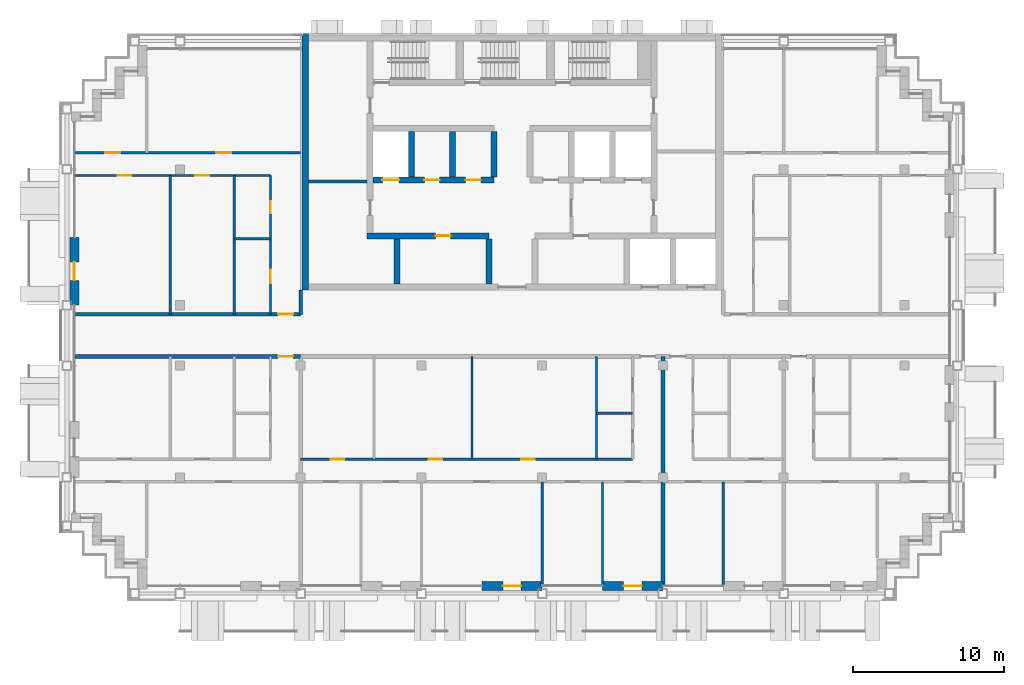
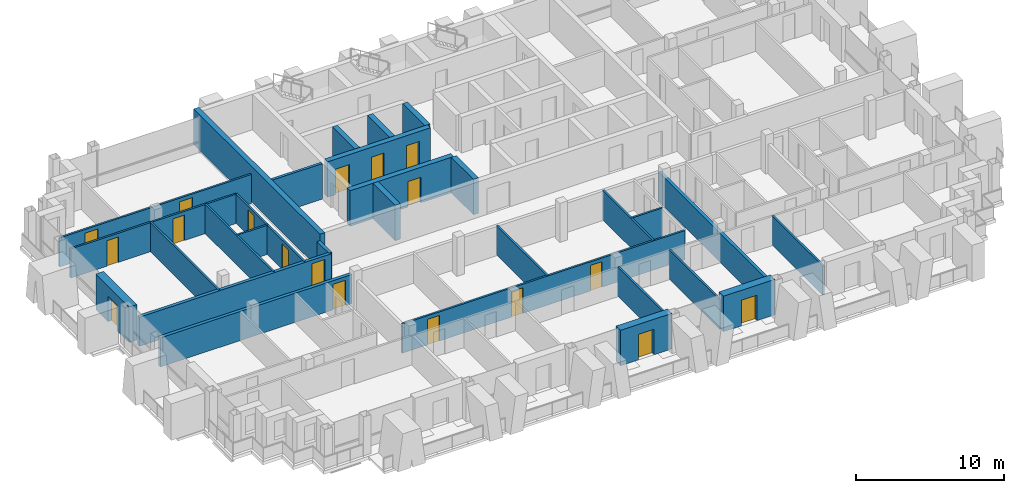
# One storey, part 8 of 15: 29 walls, 18 doors, 18 openings.
"""IFC4 building model written with IfcOpenShell, lengths in metres."""

from ifc_helpers import new_model, si_unit, direction, frame, frame_2d, origin, place, context, subcontext, project, spatial, rectangle, extrude, material, layer, layer_set, type_object, element, fill, save


model = new_model("IFC4")

# Units and contexts
model_context = context("Model", 3, precision=1e-05, world=origin(), true_north=direction((0.0, 1.0)))
body_context = subcontext(model_context, "Body", "Model", "MODEL_VIEW")
ifc_project = project(units=[si_unit("LENGTHUNIT", "METRE"), si_unit("AREAUNIT", "SQUARE_METRE"), si_unit("VOLUMEUNIT", "CUBIC_METRE"), si_unit("PLANEANGLEUNIT", "RADIAN"), si_unit("MASSUNIT", "GRAM", prefix="KILO")], contexts=[model_context])

# Site, building, storey
site_placement = place(None, origin())
site = spatial("IfcSite", under=ifc_project, at=site_placement, CompositionType="ELEMENT")
building_placement = place(site_placement, origin())
building = spatial("IfcBuilding", under=site, at=building_placement, Name="Vidyagriha Tower", CompositionType="ELEMENT")
storey_placement = place(building_placement, frame((0.0, 0.0, 214.0)))
storey = spatial("IfcBuildingStorey", under=building, at=storey_placement, Name="L55", CompositionType="ELEMENT", Elevation=214.0)

# Wall, opening, door
ifc_material_1 = material(Name="Precast concrete C40/50 with brick facing", Category="concrete")
ifc_layer_1 = layer(ifc_material_1, 0.60009765625)
ifc_layer_set_1 = layer_set([ifc_layer_1], Name="Precast concrete C40/50 with brick facing")
wall_type_1 = type_object("IfcWallType", Name="Brick-faced precast wall 600", PredefinedType="STANDARD", material=ifc_layer_set_1)
wall_1_placement = place(storey_placement, frame((-29.0, 6.5, 0.0), z_axis=(0.0, 0.0, 1.0), x_axis=(0.0, -1.0, 0.0)))
wall_1 = element("IfcWall", 1, at=wall_1_placement, inside=storey, type_object=wall_type_1, Name="Brick door bay wall L55 R16.3", PredefinedType="STANDARD", context=body_context, shape_type="SweptSolid", body=[
    extrude(rectangle(XDim=4.5, YDim=0.60009765625, at=frame_2d((2.25, 0.0))), origin(), (0.0, 0.0, 1.0), 2.919921875),
])
opening_1_placement = place(wall_1_placement, frame((1.64990234375, 0.0, 0.0)))
opening_1 = element("IfcOpeningElement", 2, at=opening_1_placement, cuts=wall_1, Name="Opening D55-60", PredefinedType="OPENING", context=body_context, shape_type="SweptSolid", body=[
    extrude(rectangle(XDim=1.199951171875, YDim=2.10009765625, at=frame_2d((0.60009765625, 1.050048828125))), frame((0.0, 0.31005859375, 0.0), z_axis=(0.0, -1.0, 0.0), x_axis=(1.0, 0.0, 0.0)), (0.0, 0.0, 1.0), 0.6201171875),
])
ifc_material_2 = material(Name="Aluminium framed glazed sliding door", Category="aluminium")
door_type_1 = type_object("IfcDoorType", Name="Balcony sliding door 1200x2100", OperationType="NOTDEFINED", PredefinedType="DOOR", material=ifc_material_2)
door_1_placement = place(opening_1_placement, origin())
door_1 = element("IfcDoor", 3, at=door_1_placement, inside=storey, type_object=door_type_1, Name="Door D55-60", OperationType="SLIDING_TO_LEFT", OverallHeight=2.10009765625, OverallWidth=1.199951171875, PredefinedType="DOOR", context=body_context, shape_type="SweptSolid", body=[
    extrude(rectangle(XDim=1.199951171875, YDim=2.10009765625, at=frame_2d((0.60009765625, 1.050048828125))), frame((0.0, 0.02490234375, 0.0), z_axis=(0.0, -1.0, 0.0), x_axis=(1.0, 0.0, 0.0)), (0.0, 0.0, 1.0), 0.050048828125),
])
fill(opening_1, door_1)

wall_2_placement = place(storey_placement, frame((-2.0, -16.60009765625, 0.0)))
wall_2 = element("IfcWall", 4, at=wall_2_placement, inside=storey, type_object=wall_type_1, Name="Brick door bay wall L55 R23.7", PredefinedType="STANDARD", context=body_context, shape_type="SweptSolid", body=[
    extrude(rectangle(XDim=4.0, YDim=0.60009765625, at=frame_2d((2.0, 0.0))), origin(), (0.0, 0.0, 1.0), 2.919921875),
])
opening_2_placement = place(wall_2_placement, frame((1.39990234375, 0.0, 0.0)))
opening_2 = element("IfcOpeningElement", 5, at=opening_2_placement, cuts=wall_2, Name="Opening D55-64", PredefinedType="OPENING", context=body_context, shape_type="SweptSolid", body=[
    extrude(rectangle(XDim=1.199951171875, YDim=2.10009765625, at=frame_2d((0.60009765625, 1.050048828125))), frame((0.0, 0.31005859375, 0.0), z_axis=(0.0, -1.0, 0.0), x_axis=(1.0, 0.0, 0.0)), (0.0, 0.0, 1.0), 0.6201171875),
])
door_2_placement = place(opening_2_placement, origin())
door_2 = element("IfcDoor", 6, at=door_2_placement, inside=storey, type_object=door_type_1, Name="Door D55-64", OperationType="SLIDING_TO_LEFT", OverallHeight=2.10009765625, OverallWidth=1.199951171875, PredefinedType="DOOR", context=body_context, shape_type="SweptSolid", body=[
    extrude(rectangle(XDim=1.199951171875, YDim=2.10009765625, at=frame_2d((0.60009765625, 1.050048828125))), frame((0.0, 0.02490234375, 0.0), z_axis=(0.0, -1.0, 0.0), x_axis=(1.0, 0.0, 0.0)), (0.0, 0.0, 1.0), 0.050048828125),
])
fill(opening_2, door_2)

wall_3_placement = place(storey_placement, frame((6.0, -16.60009765625, 0.0)))
wall_3 = element("IfcWall", 7, at=wall_3_placement, inside=storey, type_object=wall_type_1, Name="Brick door bay wall L55 R23.9", PredefinedType="STANDARD", context=body_context, shape_type="SweptSolid", body=[
    extrude(rectangle(XDim=4.0, YDim=0.60009765625, at=frame_2d((2.0, 0.0))), origin(), (0.0, 0.0, 1.0), 2.919921875),
])
opening_3_placement = place(wall_3_placement, frame((1.39990234375, 0.0, 0.0)))
opening_3 = element("IfcOpeningElement", 8, at=opening_3_placement, cuts=wall_3, Name="Opening D55-65", PredefinedType="OPENING", context=body_context, shape_type="SweptSolid", body=[
    extrude(rectangle(XDim=1.199951171875, YDim=2.10009765625, at=frame_2d((0.60009765625, 1.050048828125))), frame((0.0, 0.31005859375, 0.0), z_axis=(0.0, -1.0, 0.0), x_axis=(1.0, 0.0, 0.0)), (0.0, 0.0, 1.0), 0.6201171875),
])
door_3_placement = place(opening_3_placement, origin())
door_3 = element("IfcDoor", 9, at=door_3_placement, inside=storey, type_object=door_type_1, Name="Door D55-65", OperationType="SLIDING_TO_LEFT", OverallHeight=2.10009765625, OverallWidth=1.199951171875, PredefinedType="DOOR", context=body_context, shape_type="SweptSolid", body=[
    extrude(rectangle(XDim=1.199951171875, YDim=2.10009765625, at=frame_2d((0.60009765625, 1.050048828125))), frame((0.0, 0.02490234375, 0.0), z_axis=(0.0, -1.0, 0.0), x_axis=(1.0, 0.0, 0.0)), (0.0, 0.0, 1.0), 0.050048828125),
])
fill(opening_3, door_3)

# Wall
ifc_material_3 = material(Name="Concrete C60/75", Category="concrete")
ifc_layer_2 = layer(ifc_material_3, 0.39990234375)
ifc_layer_set_2 = layer_set([ifc_layer_2], Name="Concrete C60/75")
wall_type_2 = type_object("IfcWallType", Name="Core shear wall 400 mm", PredefinedType="SHEAR", material=ifc_layer_set_2)
wall_4_placement = place(storey_placement, frame((-13.699951171875, 3.0, 0.0), z_axis=(0.0, 0.0, 1.0), x_axis=(0.0, 1.0, 0.0)))
element("IfcWall", 10, at=wall_4_placement, inside=storey, type_object=wall_type_2, Name="Core west wall", PredefinedType="SHEAR", context=body_context, shape_type="SweptSolid", body=[
    extrude(rectangle(XDim=17.0, YDim=0.39990234375, at=frame_2d((8.5, 0.0))), origin(), (0.0, 0.0, 1.0), 2.919921875),
])

# Wall, opening, door
wall_5_placement = place(storey_placement, frame((-9.60009765625, 6.60009765625, 0.0)))
wall_5 = element("IfcWall", 11, at=wall_5_placement, inside=storey, type_object=wall_type_2, Name="Core lobby south wall west", PredefinedType="SHEAR", context=body_context, shape_type="SweptSolid", body=[
    extrude(rectangle(XDim=8.077880859375, YDim=0.39990234375, at=frame_2d((4.0390625, 0.0))), origin(), (0.0, 0.0, 1.0), 2.919921875),
])
opening_4_placement = place(wall_5_placement, frame((4.533203125, 0.0, 0.0)))
opening_4 = element("IfcOpeningElement", 12, at=opening_4_placement, cuts=wall_5, Name="Opening D55-02", PredefinedType="OPENING", context=body_context, shape_type="SweptSolid", body=[
    extrude(rectangle(XDim=1.0, YDim=2.10009765625, at=frame_2d((0.5, 1.050048828125))), frame((0.0, 0.2099609375, 0.0), z_axis=(0.0, -1.0, 0.0), x_axis=(1.0, 0.0, 0.0)), (0.0, 0.0, 1.0), 0.419921875),
])
ifc_material_4 = material(Name="Hollow metal door leaf")
door_type_2 = type_object("IfcDoorType", Name="Core room door 1000 x 2100 mm EI 60", OperationType="NOTDEFINED", PredefinedType="DOOR", material=ifc_material_4)
door_4_placement = place(opening_4_placement, origin())
door_4 = element("IfcDoor", 13, at=door_4_placement, inside=storey, type_object=door_type_2, Name="Door Refuse Room 55.01", OperationType="SINGLE_SWING_RIGHT", OverallHeight=2.10009765625, OverallWidth=1.0, PredefinedType="DOOR", context=body_context, shape_type="SweptSolid", body=[
    extrude(rectangle(XDim=1.0, YDim=2.10009765625, at=frame_2d((0.5, 1.050048828125))), frame((0.0, 0.02490234375, 0.0), z_axis=(0.0, -1.0, 0.0), x_axis=(1.0, 0.0, 0.0)), (0.0, 0.0, 1.0), 0.050048828125),
])
fill(opening_4, door_4)

# Walls
for number, where, z_axis, x_axis, name in (
    (14, (-7.611083984375, 3.39990234375, 0.0), (0.0, 0.0, 1.0), (0.0, 1.0, 0.0), "Core bay wall S2"),
    (15, (-1.522216796875, 3.39990234375, 0.0), (0.0, 0.0, 1.0), (0.0, 1.0, 0.0), "Core bay wall S4"),
):
    element("IfcWall", number, at=place(storey_placement, frame(where, z_axis=z_axis, x_axis=x_axis)), inside=storey, type_object=wall_type_2, Name=name, PredefinedType="SHEAR", context=body_context, shape_type="SweptSolid", body=[
        extrude(rectangle(XDim=3.0, YDim=0.39990234375, at=frame_2d((1.5, 0.0))), origin(), (0.0, 0.0, 1.0), 2.919921875),
    ])

# Wall, openings, doors
wall_6_placement = place(storey_placement, frame((-9.199951171875, 10.300048828125, 0.0)))
wall_6 = element("IfcWall", 16, at=wall_6_placement, inside=storey, type_object=wall_type_2, Name="Core row N front wall", PredefinedType="SHEAR", context=body_context, shape_type="SweptSolid", body=[
    extrude(rectangle(XDim=8.0, YDim=0.39990234375, at=frame_2d((4.0, 0.0))), origin(), (0.0, 0.0, 1.0), 2.919921875),
])
opening_5_placement = place(wall_6_placement, frame((0.61669921875, 0.0, 0.0)))
opening_5 = element("IfcOpeningElement", 17, at=opening_5_placement, cuts=wall_6, Name="Opening LD55-03", PredefinedType="OPENING", context=body_context, shape_type="SweptSolid", body=[
    extrude(rectangle(XDim=1.10009765625, YDim=2.10009765625, at=frame_2d((0.550048828125, 1.050048828125))), frame((0.0, 0.2099609375, 0.0), z_axis=(0.0, -1.0, 0.0), x_axis=(1.0, 0.0, 0.0)), (0.0, 0.0, 1.0), 0.419921875),
])
opening_6_placement = place(wall_6_placement, frame((3.39990234375, 0.0, 0.0)))
opening_6 = element("IfcOpeningElement", 18, at=opening_6_placement, cuts=wall_6, Name="Opening D55-04", PredefinedType="OPENING", context=body_context, shape_type="SweptSolid", body=[
    extrude(rectangle(XDim=1.0, YDim=2.10009765625, at=frame_2d((0.5, 1.050048828125))), frame((0.0, 0.2099609375, 0.0), z_axis=(0.0, -1.0, 0.0), x_axis=(1.0, 0.0, 0.0)), (0.0, 0.0, 1.0), 0.419921875),
])
opening_7_placement = place(wall_6_placement, frame((6.13330078125, 0.0, 0.0)))
opening_7 = element("IfcOpeningElement", 19, at=opening_7_placement, cuts=wall_6, Name="Opening D55-05", PredefinedType="OPENING", context=body_context, shape_type="SweptSolid", body=[
    extrude(rectangle(XDim=1.0, YDim=2.10009765625, at=frame_2d((0.5, 1.050048828125))), frame((0.0, 0.2099609375, 0.0), z_axis=(0.0, -1.0, 0.0), x_axis=(1.0, 0.0, 0.0)), (0.0, 0.0, 1.0), 0.419921875),
])
door_5_placement = place(opening_6_placement, frame((1.0, 0.0, 0.0), z_axis=(0.0, 0.0, 1.0), x_axis=(-1.0, 0.0, 0.0)))
door_5 = element("IfcDoor", 20, at=door_5_placement, inside=storey, type_object=door_type_2, Name="Door Electrical Room 55.14", OperationType="SINGLE_SWING_RIGHT", OverallHeight=2.10009765625, OverallWidth=1.0, PredefinedType="DOOR", context=body_context, shape_type="SweptSolid", body=[
    extrude(rectangle(XDim=1.0, YDim=2.10009765625, at=frame_2d((0.5, 1.050048828125))), frame((0.0, 0.02490234375, 0.0), z_axis=(0.0, -1.0, 0.0), x_axis=(1.0, 0.0, 0.0)), (0.0, 0.0, 1.0), 0.050048828125),
])
fill(opening_6, door_5)
door_6_placement = place(opening_7_placement, frame((1.0, 0.0, 0.0), z_axis=(0.0, 0.0, 1.0), x_axis=(-1.0, 0.0, 0.0)))
door_6 = element("IfcDoor", 21, at=door_6_placement, inside=storey, type_object=door_type_2, Name="Door Cleaners Store 55.15", OperationType="SINGLE_SWING_LEFT", OverallHeight=2.10009765625, OverallWidth=1.0, PredefinedType="DOOR", context=body_context, shape_type="SweptSolid", body=[
    extrude(rectangle(XDim=1.0, YDim=2.10009765625, at=frame_2d((0.5, 1.050048828125))), frame((0.0, 0.02490234375, 0.0), z_axis=(0.0, -1.0, 0.0), x_axis=(1.0, 0.0, 0.0)), (0.0, 0.0, 1.0), 0.050048828125),
])
fill(opening_7, door_6)
ifc_material_5 = material(Name="Stainless steel sliding door panel", Category="steel")
door_type_3 = type_object("IfcDoorType", Name="Lift landing door 1100 x 2100 mm EI 90", OperationType="NOTDEFINED", PredefinedType="DOOR", material=ifc_material_5)
door_7_placement = place(opening_5_placement, origin())
door_7 = element("IfcDoor", 22, at=door_7_placement, inside=storey, type_object=door_type_3, Name="Landing door MR3 L55", OperationType="SLIDING_TO_LEFT", OverallHeight=2.10009765625, OverallWidth=1.10009765625, PredefinedType="DOOR", context=body_context, shape_type="SweptSolid", body=[
    extrude(rectangle(XDim=1.10009765625, YDim=2.10009765625, at=frame_2d((0.550048828125, 1.050048828125))), frame((0.0, 0.02490234375, 0.0), z_axis=(0.0, -1.0, 0.0), x_axis=(1.0, 0.0, 0.0)), (0.0, 0.0, 1.0), 0.050048828125),
])
fill(opening_5, door_7)

# Walls
for number, where, z_axis, x_axis, name in (
    (23, (-6.666748046875, 10.5, 0.0), (0.0, 0.0, 1.0), (0.0, 1.0, 0.0), "Core bay wall N1"),
    (24, (-3.933349609375, 10.5, 0.0), (0.0, 0.0, 1.0), (0.0, 1.0, 0.0), "Core bay wall N2"),
    (25, (-1.199951171875, 10.5, 0.0), (0.0, 0.0, 1.0), (0.0, 1.0, 0.0), "Core bay wall N3"),
):
    element("IfcWall", number, at=place(storey_placement, frame(where, z_axis=z_axis, x_axis=x_axis)), inside=storey, type_object=wall_type_2, Name=name, PredefinedType="SHEAR", context=body_context, shape_type="SweptSolid", body=[
        extrude(rectangle(XDim=3.0, YDim=0.39990234375, at=frame_2d((1.5, 0.0))), origin(), (0.0, 0.0, 1.0), 2.919921875),
    ])

# Wall, opening, door
ifc_material_6 = material(Name="Fired clay brick masonry", Category="masonry")
ifc_layer_3 = layer(ifc_material_6, 0.25)
ifc_layer_set_3 = layer_set([ifc_layer_3], Name="Fired clay brick masonry")
wall_type_3 = type_object("IfcWallType", Name="Fired clay brick corridor wall 250", PredefinedType="PARTITIONING", material=ifc_layer_set_3)
wall_7_placement = place(storey_placement, frame((-14.0, -1.39990234375, 0.0), z_axis=(0.0, 0.0, 1.0), x_axis=(-1.0, 0.0, 0.0)))
wall_7 = element("IfcWall", 26, at=wall_7_placement, inside=storey, type_object=wall_type_3, Name="Wall all-L55-w064", PredefinedType="PARTITIONING", context=body_context, shape_type="SweptSolid", body=[
    extrude(rectangle(XDim=14.919921875, YDim=0.25, at=frame_2d((7.4599609375, 0.0))), origin(), (0.0, 0.0, 1.0), 2.39990234375),
])
opening_8_placement = place(wall_7_placement, frame((0.5, 0.0, 0.0)))
opening_8 = element("IfcOpeningElement", 27, at=opening_8_placement, cuts=wall_7, Name="Opening D55-21", PredefinedType="OPENING", context=body_context, shape_type="SweptSolid", body=[
    extrude(rectangle(XDim=1.0, YDim=2.10009765625, at=frame_2d((0.5, 1.050048828125))), frame((0.0, 0.135009765625, 0.0), z_axis=(0.0, -1.0, 0.0), x_axis=(1.0, 0.0, 0.0)), (0.0, 0.0, 1.0), 0.27001953125),
])
ifc_material_7 = material(Name="Fire-rated timber door leaf EI 60", Category="wood")
door_type_4 = type_object("IfcDoorType", Name="Flat entrance fire door 1000x2100", OperationType="NOTDEFINED", PredefinedType="DOOR", material=ifc_material_7)
door_8_placement = place(opening_8_placement, origin())
door_8 = element("IfcDoor", 28, at=door_8_placement, inside=storey, type_object=door_type_4, Name="Door D55-21", OperationType="SINGLE_SWING_LEFT", OverallHeight=2.10009765625, OverallWidth=1.0, PredefinedType="DOOR", context=body_context, shape_type="SweptSolid", body=[
    extrude(rectangle(XDim=1.0, YDim=2.10009765625, at=frame_2d((0.5, 1.050048828125))), frame((0.0, 0.02490234375, 0.0), z_axis=(0.0, -1.0, 0.0), x_axis=(1.0, 0.0, 0.0)), (0.0, 0.0, 1.0), 0.050048828125),
])
fill(opening_8, door_8)

wall_8_placement = place(storey_placement, frame((-28.919921875, 1.39990234375, 0.0)))
wall_8 = element("IfcWall", 29, at=wall_8_placement, inside=storey, type_object=wall_type_3, Name="Wall all-L55-w080", PredefinedType="PARTITIONING", context=body_context, shape_type="SweptSolid", body=[
    extrude(rectangle(XDim=14.919921875, YDim=0.25, at=frame_2d((7.4599609375, 0.0))), origin(), (0.0, 0.0, 1.0), 2.39990234375),
])
opening_9_placement = place(wall_8_placement, frame((13.419921875, 0.0, 0.0)))
opening_9 = element("IfcOpeningElement", 30, at=opening_9_placement, cuts=wall_8, Name="Opening D55-51", PredefinedType="OPENING", context=body_context, shape_type="SweptSolid", body=[
    extrude(rectangle(XDim=1.0, YDim=2.10009765625, at=frame_2d((0.5, 1.050048828125))), frame((0.0, 0.135009765625, 0.0), z_axis=(0.0, -1.0, 0.0), x_axis=(1.0, 0.0, 0.0)), (0.0, 0.0, 1.0), 0.27001953125),
])
door_9_placement = place(opening_9_placement, origin())
door_9 = element("IfcDoor", 31, at=door_9_placement, inside=storey, type_object=door_type_4, Name="Door D55-51", OperationType="SINGLE_SWING_RIGHT", OverallHeight=2.10009765625, OverallWidth=1.0, PredefinedType="DOOR", context=body_context, shape_type="SweptSolid", body=[
    extrude(rectangle(XDim=1.0, YDim=2.10009765625, at=frame_2d((0.5, 1.050048828125))), frame((0.0, 0.02490234375, 0.0), z_axis=(0.0, -1.0, 0.0), x_axis=(1.0, 0.0, 0.0)), (0.0, 0.0, 1.0), 0.050048828125),
])
fill(opening_9, door_9)

# Walls
wall_9_placement = place(storey_placement, frame((-14.0, 3.0, 0.0), z_axis=(0.0, 0.0, 1.0), x_axis=(0.0, -1.0, 0.0)))
element("IfcWall", 32, at=wall_9_placement, inside=storey, type_object=wall_type_3, Name="Wall all-L55-w099", PredefinedType="PARTITIONING", context=body_context, shape_type="SweptSolid", body=[
    extrude(rectangle(XDim=1.60009765625, YDim=0.25, at=frame_2d((0.800048828125, 0.0))), origin(), (0.0, 0.0, 1.0), 2.39990234375),
])
ifc_material_8 = material(Name="Fired clay brick masonry", Category="masonry")
ifc_layer_4 = layer(ifc_material_8, 0.25)
ifc_layer_set_4 = layer_set([ifc_layer_4], Name="Fired clay brick masonry")
wall_type_4 = type_object("IfcWallType", Name="Fired clay brick demising wall 250", PredefinedType="PARTITIONING", material=ifc_layer_set_4)
wall_10_placement = place(storey_placement, frame((10.0, -1.39990234375, 0.0), z_axis=(0.0, 0.0, 1.0), x_axis=(0.0, -1.0, 0.0)))
element("IfcWall", 33, at=wall_10_placement, inside=storey, type_object=wall_type_4, Name="Wall all-L55-w050", PredefinedType="PARTITIONING", context=body_context, shape_type="SweptSolid", body=[
    extrude(rectangle(XDim=15.110107421875, YDim=0.25, at=frame_2d((7.55517578125, 0.0))), origin(), (0.0, 0.0, 1.0), 2.39990234375),
])
ifc_material_9 = material(Name="Gypsum board partition")
ifc_layer_5 = layer(ifc_material_9, 0.14990234375)
ifc_layer_set_5 = layer_set([ifc_layer_5], Name="Gypsum board partition")
wall_type_5 = type_object("IfcWallType", Name="Gypsum board partition 150", PredefinedType="PARTITIONING", material=ifc_layer_set_5)
wall_11_placement = place(storey_placement, frame((8.0, -5.14990234375, 0.0), z_axis=(0.0, 0.0, 1.0), x_axis=(-1.0, 0.0, 0.0)))
element("IfcWall", 34, at=wall_11_placement, inside=storey, type_object=wall_type_5, Name="Wall all-L55-w018", PredefinedType="PARTITIONING", context=body_context, shape_type="SweptSolid", body=[
    extrude(rectangle(XDim=2.39990234375, YDim=0.14990234375, at=frame_2d((1.199951171875, 0.0))), origin(), (0.0, 0.0, 1.0), 2.39990234375),
])
for number, where, z_axis, x_axis, name in (
    (35, (5.60009765625, -8.199951171875, 0.0), (0.0, 0.0, 1.0), (0.0, 1.0, 0.0), "Wall all-L55-w019"),
    (36, (-2.64990234375, -8.199951171875, 0.0), (0.0, 0.0, 1.0), (0.0, 1.0, 0.0), "Wall all-L55-w020"),
):
    element("IfcWall", number, at=place(storey_placement, frame(where, z_axis=z_axis, x_axis=x_axis)), inside=storey, type_object=wall_type_5, Name=name, PredefinedType="PARTITIONING", context=body_context, shape_type="SweptSolid", body=[
        extrude(rectangle(XDim=6.800048828125, YDim=0.14990234375, at=frame_2d((3.39990234375, 0.0))), origin(), (0.0, 0.0, 1.0), 2.39990234375),
    ])

# Wall, openings, doors
wall_12_placement = place(storey_placement, frame((-14.0, -8.199951171875, 0.0)))
wall_12 = element("IfcWall", 37, at=wall_12_placement, inside=storey, type_object=wall_type_5, Name="Wall all-L55-w022", PredefinedType="PARTITIONING", context=body_context, shape_type="SweptSolid", body=[
    extrude(rectangle(XDim=22.0, YDim=0.14990234375, at=frame_2d((11.0, 0.0))), origin(), (0.0, 0.0, 1.0), 2.39990234375),
])
opening_10_placement = place(wall_12_placement, frame((14.6240234375, 0.0, 0.0)))
opening_10 = element("IfcOpeningElement", 38, at=opening_10_placement, cuts=wall_12, Name="Opening D55-24", PredefinedType="OPENING", context=body_context, shape_type="SweptSolid", body=[
    extrude(rectangle(XDim=0.89990234375, YDim=2.10009765625, at=frame_2d((0.449951171875, 1.050048828125))), frame((0.0, 0.0849609375, 0.0), z_axis=(0.0, -1.0, 0.0), x_axis=(1.0, 0.0, 0.0)), (0.0, 0.0, 1.0), 0.169921875),
])
opening_11_placement = place(wall_12_placement, frame((8.47607421875, 0.0, 0.0)))
opening_11 = element("IfcOpeningElement", 39, at=opening_11_placement, cuts=wall_12, Name="Opening D55-25", PredefinedType="OPENING", context=body_context, shape_type="SweptSolid", body=[
    extrude(rectangle(XDim=0.89990234375, YDim=2.10009765625, at=frame_2d((0.449951171875, 1.050048828125))), frame((0.0, 0.0849609375, 0.0), z_axis=(0.0, -1.0, 0.0), x_axis=(1.0, 0.0, 0.0)), (0.0, 0.0, 1.0), 0.169921875),
])
opening_12_placement = place(wall_12_placement, frame((1.97509765625, 0.0, 0.0)))
opening_12 = element("IfcOpeningElement", 40, at=opening_12_placement, cuts=wall_12, Name="Opening D55-26", PredefinedType="OPENING", context=body_context, shape_type="SweptSolid", body=[
    extrude(rectangle(XDim=0.89990234375, YDim=2.10009765625, at=frame_2d((0.449951171875, 1.050048828125))), frame((0.0, 0.0849609375, 0.0), z_axis=(0.0, -1.0, 0.0), x_axis=(1.0, 0.0, 0.0)), (0.0, 0.0, 1.0), 0.169921875),
])
ifc_material_10 = material(Name="Timber door leaf", Category="wood")
door_type_5 = type_object("IfcDoorType", Name="Room door 900x2100", OperationType="NOTDEFINED", PredefinedType="DOOR", material=ifc_material_10)
door_10_placement = place(opening_10_placement, origin())
door_10 = element("IfcDoor", 41, at=door_10_placement, inside=storey, type_object=door_type_5, Name="Door D55-24", OperationType="SINGLE_SWING_LEFT", OverallHeight=2.10009765625, OverallWidth=0.89990234375, PredefinedType="DOOR", context=body_context, shape_type="SweptSolid", body=[
    extrude(rectangle(XDim=0.89990234375, YDim=2.10009765625, at=frame_2d((0.449951171875, 1.050048828125))), frame((0.0, 0.02490234375, 0.0), z_axis=(0.0, -1.0, 0.0), x_axis=(1.0, 0.0, 0.0)), (0.0, 0.0, 1.0), 0.050048828125),
])
fill(opening_10, door_10)
door_11_placement = place(opening_11_placement, origin())
door_11 = element("IfcDoor", 42, at=door_11_placement, inside=storey, type_object=door_type_5, Name="Door D55-25", OperationType="SINGLE_SWING_RIGHT", OverallHeight=2.10009765625, OverallWidth=0.89990234375, PredefinedType="DOOR", context=body_context, shape_type="SweptSolid", body=[
    extrude(rectangle(XDim=0.89990234375, YDim=2.10009765625, at=frame_2d((0.449951171875, 1.050048828125))), frame((0.0, 0.02490234375, 0.0), z_axis=(0.0, -1.0, 0.0), x_axis=(1.0, 0.0, 0.0)), (0.0, 0.0, 1.0), 0.050048828125),
])
fill(opening_11, door_11)
door_12_placement = place(opening_12_placement, origin())
door_12 = element("IfcDoor", 43, at=door_12_placement, inside=storey, type_object=door_type_5, Name="Door D55-26", OperationType="SINGLE_SWING_RIGHT", OverallHeight=2.10009765625, OverallWidth=0.89990234375, PredefinedType="DOOR", context=body_context, shape_type="SweptSolid", body=[
    extrude(rectangle(XDim=0.89990234375, YDim=2.10009765625, at=frame_2d((0.449951171875, 1.050048828125))), frame((0.0, 0.02490234375, 0.0), z_axis=(0.0, -1.0, 0.0), x_axis=(1.0, 0.0, 0.0)), (0.0, 0.0, 1.0), 0.050048828125),
])
fill(opening_12, door_12)

# Walls
wall_13_placement = place(storey_placement, frame((2.0, -9.699951171875, 0.0), z_axis=(0.0, 0.0, 1.0), x_axis=(0.0, -1.0, 0.0)))
element("IfcWall", 44, at=wall_13_placement, inside=storey, type_object=wall_type_5, Name="Wall all-L55-w034", PredefinedType="PARTITIONING", context=body_context, shape_type="SweptSolid", body=[
    extrude(rectangle(XDim=6.81005859375, YDim=0.14990234375, at=frame_2d((3.405029296875, 0.0))), origin(), (0.0, 0.0, 1.0), 2.39990234375),
])
for number, where, z_axis, x_axis, name in (
    (45, (6.0, -9.699951171875, 0.0), (0.0, 0.0, 1.0), (0.0, -1.0, 0.0), "Wall all-L55-w035"),
    (46, (14.0, -9.699951171875, 0.0), (0.0, 0.0, 1.0), (0.0, -1.0, 0.0), "Wall all-L55-w048"),
):
    element("IfcWall", number, at=place(storey_placement, frame(where, z_axis=z_axis, x_axis=x_axis)), inside=storey, type_object=wall_type_5, Name=name, PredefinedType="PARTITIONING", context=body_context, shape_type="SweptSolid", body=[
        extrude(rectangle(XDim=6.821044921875, YDim=0.14990234375, at=frame_2d((3.41064453125, 0.0))), origin(), (0.0, 0.0, 1.0), 2.39990234375),
    ])
wall_14_placement = place(storey_placement, frame((-18.39990234375, 6.39990234375, 0.0)))
element("IfcWall", 47, at=wall_14_placement, inside=storey, type_object=wall_type_5, Name="Wall all-L55-w069", PredefinedType="PARTITIONING", context=body_context, shape_type="SweptSolid", body=[
    extrude(rectangle(XDim=2.39990234375, YDim=0.14990234375, at=frame_2d((1.199951171875, 0.0))), origin(), (0.0, 0.0, 1.0), 2.39990234375),
])
for number, where, z_axis, x_axis, name in (
    (48, (-18.39990234375, 1.39990234375, 0.0), (0.0, 0.0, 1.0), (0.0, 1.0, 0.0), "Wall all-L55-w070"),
    (49, (-22.64990234375, 1.39990234375, 0.0), (0.0, 0.0, 1.0), (0.0, 1.0, 0.0), "Wall all-L55-w071"),
):
    element("IfcWall", number, at=place(storey_placement, frame(where, z_axis=z_axis, x_axis=x_axis)), inside=storey, type_object=wall_type_5, Name=name, PredefinedType="PARTITIONING", context=body_context, shape_type="SweptSolid", body=[
        extrude(rectangle(XDim=9.2001953125, YDim=0.14990234375, at=frame_2d((4.60009765625, 0.0))), origin(), (0.0, 0.0, 1.0), 2.39990234375),
    ])

# Wall, openings, doors
wall_15_placement = place(storey_placement, frame((-16.0, 10.60009765625, 0.0), z_axis=(0.0, 0.0, 1.0), x_axis=(-1.0, 0.0, 0.0)))
wall_15 = element("IfcWall", 50, at=wall_15_placement, inside=storey, type_object=wall_type_5, Name="Wall all-L55-w072", PredefinedType="PARTITIONING", context=body_context, shape_type="SweptSolid", body=[
    extrude(rectangle(XDim=12.919921875, YDim=0.14990234375, at=frame_2d((6.4599609375, 0.0))), origin(), (0.0, 0.0, 1.0), 2.39990234375),
])
opening_13_placement = place(wall_15_placement, frame((4.074951171875, 0.0, 0.0)))
opening_13 = element("IfcOpeningElement", 51, at=opening_13_placement, cuts=wall_15, Name="Opening D55-47", PredefinedType="OPENING", context=body_context, shape_type="SweptSolid", body=[
    extrude(rectangle(XDim=0.89990234375, YDim=2.10009765625, at=frame_2d((0.449951171875, 1.050048828125))), frame((0.0, 0.0849609375, 0.0), z_axis=(0.0, -1.0, 0.0), x_axis=(1.0, 0.0, 0.0)), (0.0, 0.0, 1.0), 0.169921875),
])
opening_14_placement = place(wall_15_placement, frame((9.22509765625, 0.0, 0.0)))
opening_14 = element("IfcOpeningElement", 52, at=opening_14_placement, cuts=wall_15, Name="Opening D55-48", PredefinedType="OPENING", context=body_context, shape_type="SweptSolid", body=[
    extrude(rectangle(XDim=0.89990234375, YDim=2.10009765625, at=frame_2d((0.449951171875, 1.050048828125))), frame((0.0, 0.0849609375, 0.0), z_axis=(0.0, -1.0, 0.0), x_axis=(1.0, 0.0, 0.0)), (0.0, 0.0, 1.0), 0.169921875),
])
door_13_placement = place(opening_13_placement, origin())
door_13 = element("IfcDoor", 53, at=door_13_placement, inside=storey, type_object=door_type_5, Name="Door D55-47", OperationType="SINGLE_SWING_RIGHT", OverallHeight=2.10009765625, OverallWidth=0.89990234375, PredefinedType="DOOR", context=body_context, shape_type="SweptSolid", body=[
    extrude(rectangle(XDim=0.89990234375, YDim=2.10009765625, at=frame_2d((0.449951171875, 1.050048828125))), frame((0.0, 0.02490234375, 0.0), z_axis=(0.0, -1.0, 0.0), x_axis=(1.0, 0.0, 0.0)), (0.0, 0.0, 1.0), 0.050048828125),
])
fill(opening_13, door_13)
door_14_placement = place(opening_14_placement, origin())
door_14 = element("IfcDoor", 54, at=door_14_placement, inside=storey, type_object=door_type_5, Name="Door D55-48", OperationType="SINGLE_SWING_RIGHT", OverallHeight=2.10009765625, OverallWidth=0.89990234375, PredefinedType="DOOR", context=body_context, shape_type="SweptSolid", body=[
    extrude(rectangle(XDim=0.89990234375, YDim=2.10009765625, at=frame_2d((0.449951171875, 1.050048828125))), frame((0.0, 0.02490234375, 0.0), z_axis=(0.0, -1.0, 0.0), x_axis=(1.0, 0.0, 0.0)), (0.0, 0.0, 1.0), 0.050048828125),
])
fill(opening_14, door_14)

wall_16_placement = place(storey_placement, frame((-28.919921875, 12.10009765625, 0.0)))
wall_16 = element("IfcWall", 55, at=wall_16_placement, inside=storey, type_object=wall_type_5, Name="Wall all-L55-w075", PredefinedType="PARTITIONING", context=body_context, shape_type="SweptSolid", body=[
    extrude(rectangle(XDim=14.919921875, YDim=0.14990234375, at=frame_2d((7.4599609375, 0.0))), origin(), (0.0, 0.0, 1.0), 2.39990234375),
])
opening_15_placement = place(wall_16_placement, frame((1.969970703125, 0.0, 0.0)))
opening_15 = element("IfcOpeningElement", 56, at=opening_15_placement, cuts=wall_16, Name="Opening D55-49", PredefinedType="OPENING", context=body_context, shape_type="SweptSolid", body=[
    extrude(rectangle(XDim=1.0, YDim=2.10009765625, at=frame_2d((0.5, 1.050048828125))), frame((0.0, 0.0849609375, 0.0), z_axis=(0.0, -1.0, 0.0), x_axis=(1.0, 0.0, 0.0)), (0.0, 0.0, 1.0), 0.169921875),
])
opening_16_placement = place(wall_16_placement, frame((9.320068359375, 0.0, 0.0)))
opening_16 = element("IfcOpeningElement", 57, at=opening_16_placement, cuts=wall_16, Name="Opening D55-50", PredefinedType="OPENING", context=body_context, shape_type="SweptSolid", body=[
    extrude(rectangle(XDim=1.0, YDim=2.10009765625, at=frame_2d((0.5, 1.050048828125))), frame((0.0, 0.0849609375, 0.0), z_axis=(0.0, -1.0, 0.0), x_axis=(1.0, 0.0, 0.0)), (0.0, 0.0, 1.0), 0.169921875),
])
ifc_material_11 = material(Name="Timber door leaf", Category="wood")
door_type_6 = type_object("IfcDoorType", Name="Room door 1000x2100", OperationType="NOTDEFINED", PredefinedType="DOOR", material=ifc_material_11)
door_15_placement = place(opening_15_placement, origin())
door_15 = element("IfcDoor", 58, at=door_15_placement, inside=storey, type_object=door_type_6, Name="Door D55-49", OperationType="SINGLE_SWING_RIGHT", OverallHeight=2.10009765625, OverallWidth=1.0, PredefinedType="DOOR", context=body_context, shape_type="SweptSolid", body=[
    extrude(rectangle(XDim=1.0, YDim=2.10009765625, at=frame_2d((0.5, 1.050048828125))), frame((0.0, 0.02490234375, 0.0), z_axis=(0.0, -1.0, 0.0), x_axis=(1.0, 0.0, 0.0)), (0.0, 0.0, 1.0), 0.050048828125),
])
fill(opening_15, door_15)
door_16_placement = place(opening_16_placement, origin())
door_16 = element("IfcDoor", 59, at=door_16_placement, inside=storey, type_object=door_type_6, Name="Door D55-50", OperationType="SINGLE_SWING_LEFT", OverallHeight=2.10009765625, OverallWidth=1.0, PredefinedType="DOOR", context=body_context, shape_type="SweptSolid", body=[
    extrude(rectangle(XDim=1.0, YDim=2.10009765625, at=frame_2d((0.5, 1.050048828125))), frame((0.0, 0.02490234375, 0.0), z_axis=(0.0, -1.0, 0.0), x_axis=(1.0, 0.0, 0.0)), (0.0, 0.0, 1.0), 0.050048828125),
])
fill(opening_16, door_16)

ifc_material_12 = material(Name="Moisture resistant gypsum board partition")
ifc_layer_6 = layer(ifc_material_12, 0.14990234375)
ifc_layer_set_6 = layer_set([ifc_layer_6], Name="Moisture resistant gypsum board partition")
wall_type_6 = type_object("IfcWallType", Name="Gypsum board wet-area partition 150", PredefinedType="PARTITIONING", material=ifc_layer_set_6)
wall_17_placement = place(storey_placement, frame((-16.0, 1.39990234375, 0.0), z_axis=(0.0, 0.0, 1.0), x_axis=(0.0, 1.0, 0.0)))
wall_17 = element("IfcWall", 60, at=wall_17_placement, inside=storey, type_object=wall_type_6, Name="Wall all-L55-w066", PredefinedType="PARTITIONING", context=body_context, shape_type="SweptSolid", body=[
    extrude(rectangle(XDim=9.2001953125, YDim=0.14990234375, at=frame_2d((4.60009765625, 0.0))), origin(), (0.0, 0.0, 1.0), 2.39990234375),
])
opening_17_placement = place(wall_17_placement, frame((2.050048828125, 0.0, 0.0)))
opening_17 = element("IfcOpeningElement", 61, at=opening_17_placement, cuts=wall_17, Name="Opening D55-45", PredefinedType="OPENING", context=body_context, shape_type="SweptSolid", body=[
    extrude(rectangle(XDim=0.89990234375, YDim=2.10009765625, at=frame_2d((0.449951171875, 1.050048828125))), frame((0.0, 0.0849609375, 0.0), z_axis=(0.0, -1.0, 0.0), x_axis=(1.0, 0.0, 0.0)), (0.0, 0.0, 1.0), 0.169921875),
])
opening_18_placement = place(wall_17_placement, frame((6.699951171875, 0.0, 0.0)))
opening_18 = element("IfcOpeningElement", 62, at=opening_18_placement, cuts=wall_17, Name="Opening D55-46", PredefinedType="OPENING", context=body_context, shape_type="SweptSolid", body=[
    extrude(rectangle(XDim=0.800048828125, YDim=2.10009765625, at=frame_2d((0.39990234375, 1.050048828125))), frame((0.0, 0.0849609375, 0.0), z_axis=(0.0, -1.0, 0.0), x_axis=(1.0, 0.0, 0.0)), (0.0, 0.0, 1.0), 0.169921875),
])
ifc_material_13 = material(Name="Timber door leaf", Category="wood")
door_type_7 = type_object("IfcDoorType", Name="Bathroom door 800x2100", OperationType="NOTDEFINED", PredefinedType="DOOR", material=ifc_material_13)
door_17_placement = place(opening_18_placement, origin())
door_17 = element("IfcDoor", 63, at=door_17_placement, inside=storey, type_object=door_type_7, Name="Door D55-46", OperationType="SINGLE_SWING_RIGHT", OverallHeight=2.10009765625, OverallWidth=0.800048828125, PredefinedType="DOOR", context=body_context, shape_type="SweptSolid", body=[
    extrude(rectangle(XDim=0.800048828125, YDim=2.10009765625, at=frame_2d((0.39990234375, 1.050048828125))), frame((0.0, 0.02490234375, 0.0), z_axis=(0.0, -1.0, 0.0), x_axis=(1.0, 0.0, 0.0)), (0.0, 0.0, 1.0), 0.050048828125),
])
fill(opening_18, door_17)
ifc_material_14 = material(Name="Timber door leaf", Category="wood")
door_type_8 = type_object("IfcDoorType", Name="Kitchen door 900x2100", OperationType="NOTDEFINED", PredefinedType="DOOR", material=ifc_material_14)
door_18_placement = place(opening_17_placement, origin())
door_18 = element("IfcDoor", 64, at=door_18_placement, inside=storey, type_object=door_type_8, Name="Door D55-45", OperationType="SINGLE_SWING_LEFT", OverallHeight=2.10009765625, OverallWidth=0.89990234375, PredefinedType="DOOR", context=body_context, shape_type="SweptSolid", body=[
    extrude(rectangle(XDim=0.89990234375, YDim=2.10009765625, at=frame_2d((0.449951171875, 1.050048828125))), frame((0.0, 0.02490234375, 0.0), z_axis=(0.0, -1.0, 0.0), x_axis=(1.0, 0.0, 0.0)), (0.0, 0.0, 1.0), 0.050048828125),
])
fill(opening_17, door_18)

# Wall
ifc_material_15 = material(Name="Blockwork 15 MPa", Category="masonry")
ifc_layer_7 = layer(ifc_material_15, 0.199951171875)
ifc_layer_set_7 = layer_set([ifc_layer_7], Name="Blockwork 15 MPa")
wall_type_7 = type_object("IfcWallType", Name="Service room partition 200 mm", PredefinedType="PARTITIONING", material=ifc_layer_set_7)
wall_18_placement = place(storey_placement, frame((-13.5, 10.199951171875, 0.0)))
element("IfcWall", 65, at=wall_18_placement, inside=storey, type_object=wall_type_7, Name="Core room partition W1", PredefinedType="PARTITIONING", context=body_context, shape_type="SweptSolid", body=[
    extrude(rectangle(XDim=3.89990234375, YDim=0.199951171875, at=frame_2d((1.949951171875, 0.0))), origin(), (0.0, 0.0, 1.0), 2.919921875),
])

save(model, "model.ifc")
